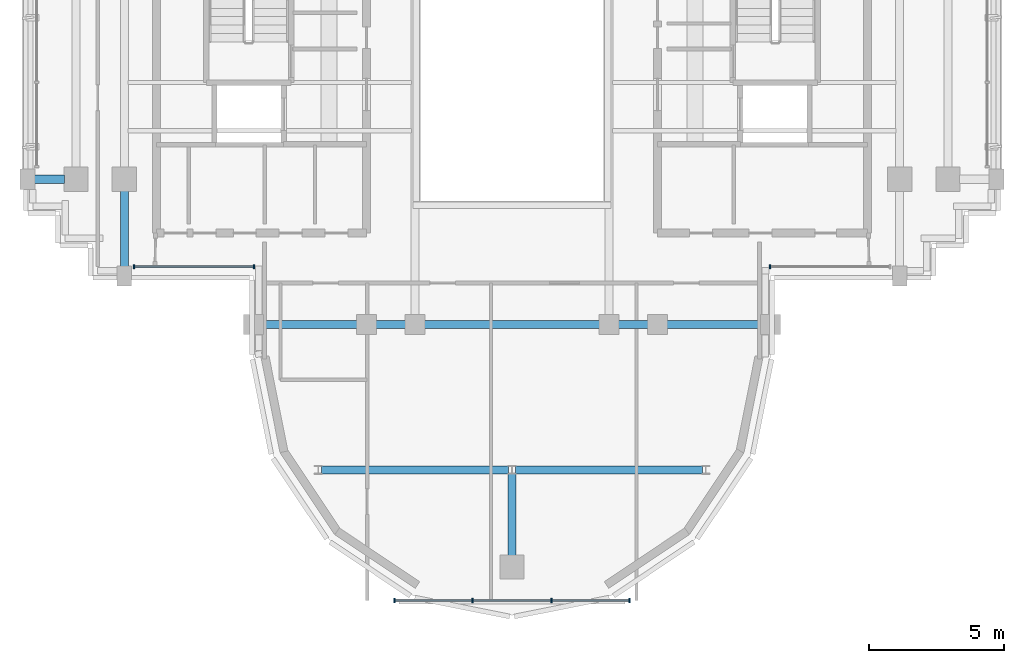
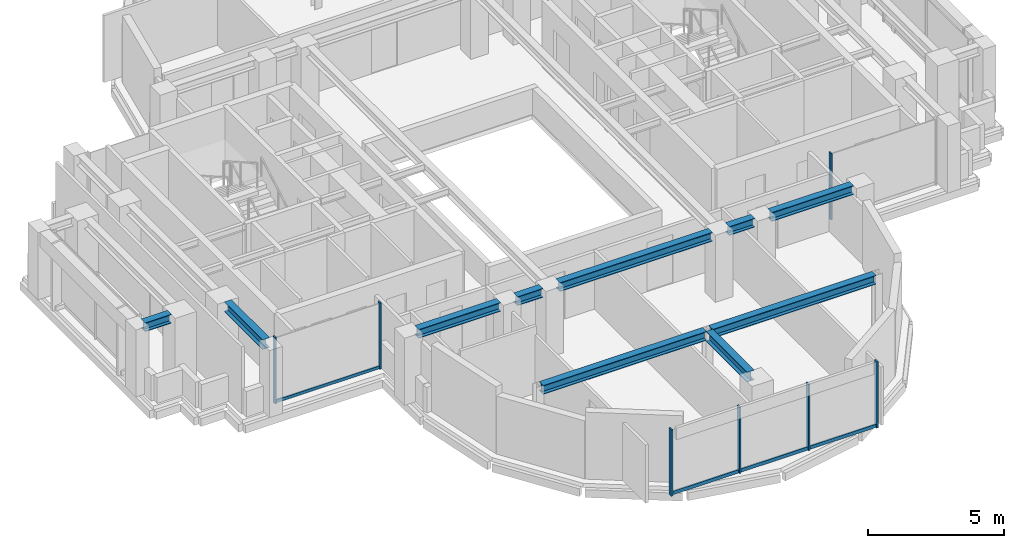
# One storey, part 3 of 12: 11 members, 10 beams, 3 elements without a shape of their own.
"""IFC4 building model written with IfcOpenShell, lengths in metres."""

from ifc_helpers import new_model, si_unit, direction, frame, origin, origin_2d, place, context, subcontext, project, spatial, rectangle, i_section, extrude, source, transform, mapped, material, material_profile, profile_set, type_object, element, aggregate, save


model = new_model("IFC4")

# Units and contexts
model_context = context("Model", 3, precision=1e-05, world=origin(), true_north=direction((0.0, 1.0)))
body_context = subcontext(model_context, "Body", "Model", "MODEL_VIEW")
ifc_project = project(units=[si_unit("LENGTHUNIT", "METRE"), si_unit("AREAUNIT", "SQUARE_METRE"), si_unit("VOLUMEUNIT", "CUBIC_METRE"), si_unit("PLANEANGLEUNIT", "RADIAN"), si_unit("MASSUNIT", "GRAM", prefix="KILO")], contexts=[model_context])

# Site, building, storey
site_placement = place(None, origin())
site = spatial("IfcSite", under=ifc_project, at=site_placement, CompositionType="ELEMENT")
building_placement = place(site_placement, origin())
building = spatial("IfcBuilding", under=site, at=building_placement, Name="Keilestroom Media Tower", CompositionType="ELEMENT")
storey_placement = place(building_placement, frame((0.0, 0.0, 226.800048828125)))
storey = spatial("IfcBuildingStorey", under=building, at=storey_placement, Name="L62", CompositionType="ELEMENT", Elevation=226.800048828125)

# Beams
ifc_material_1 = material(Name="Steel S355", Category="steel")
ifc_material_profile_1 = material_profile(ifc_material_1, i_section(OverallWidth=0.300048828125, OverallDepth=0.39990234375, WebThickness=0.011474609375, FlangeThickness=0.02392578125, at=origin_2d()), Name="HEB 400")
ifc_profile_set_1 = profile_set([ifc_material_profile_1], Name="Steel S355")
beam_type_1 = type_object("IfcBeamType", Name="Primary-Structural-Girder-HEB-400", PredefinedType="BEAM", material=ifc_profile_set_1)
shared_shape_1 = source(origin(), body_context, "Body", "SweptSolid", [
    extrude(i_section(OverallWidth=0.300048828125, OverallDepth=0.39990234375, WebThickness=0.011474609375, FlangeThickness=0.02392578125, at=origin_2d()), origin(), (0.0, 0.0, 1.0), 6.940185546875),
])
for number, where, z_axis, x_axis, name in (
    (1, (-7.070068359375, -14.39990234375, 2.81005859375), (1.0, 0.0, 0.0), (0.0, 1.0, 0.0), "L62 Beam BG-8 BM-L62-EW-001"),
    (2, (0.1298828125, -14.39990234375, 2.81005859375), (1.0, 0.0, 0.0), (0.0, 1.0, 0.0), "L62 Beam BG-8 BM-L62-EW-002"),
):
    element("IfcBeam", number, at=place(storey_placement, frame(where, z_axis=z_axis, x_axis=x_axis)), inside=storey, type_object=beam_type_1, Name=name, PredefinedType="BEAM", context=body_context, shape_type="MappedRepresentation", body=[
        mapped(shared_shape_1, transform((0.0, 0.0, 0.0), x_axis=(1.0, 0.0, 0.0), y_axis=(0.0, 1.0, 0.0), z_axis=(0.0, 0.0, 1.0), scale=1.0)),
    ])
shared_shape_2 = source(origin(), body_context, "Body", "SweptSolid", [
    extrude(i_section(OverallWidth=0.300048828125, OverallDepth=0.39990234375, WebThickness=0.011474609375, FlangeThickness=0.02392578125, at=origin_2d()), origin(), (0.0, 0.0, 1.0), 3.490234375),
])
for number, where, z_axis, x_axis, name in (
    (3, (-9.2451171875, -9.0, 2.81005859375), (1.0, 0.0, 0.0), (0.0, 1.0, 0.0), "L62 Beam BG-8 BM-L62-EW-003"),
    (4, (5.7548828125, -9.0, 2.81005859375), (1.0, 0.0, 0.0), (0.0, 1.0, 0.0), "L62 Beam BG-8 BM-L62-EW-007"),
):
    element("IfcBeam", number, at=place(storey_placement, frame(where, z_axis=z_axis, x_axis=x_axis)), inside=storey, type_object=beam_type_1, Name=name, PredefinedType="BEAM", context=body_context, shape_type="MappedRepresentation", body=[
        mapped(shared_shape_2, transform((0.0, 0.0, 0.0), x_axis=(1.0, 0.0, 0.0), y_axis=(0.0, 1.0, 0.0), z_axis=(0.0, 0.0, 1.0), scale=1.0)),
    ])
shared_shape_3 = source(origin(), body_context, "Body", "SweptSolid", [
    extrude(i_section(OverallWidth=0.300048828125, OverallDepth=0.39990234375, WebThickness=0.011474609375, FlangeThickness=0.02392578125, at=origin_2d()), origin(), (0.0, 0.0, 1.0), 1.08984375),
])
for number, where, z_axis, x_axis, name in (
    (5, (-5.044921875, -9.0, 2.81005859375), (1.0, 0.0, 0.0), (0.0, 1.0, 0.0), "L62 Beam BG-8 BM-L62-EW-004"),
    (6, (3.955078125, -9.0, 2.81005859375), (1.0, 0.0, 0.0), (0.0, 1.0, 0.0), "L62 Beam BG-8 BM-L62-EW-006"),
):
    element("IfcBeam", number, at=place(storey_placement, frame(where, z_axis=z_axis, x_axis=x_axis)), inside=storey, type_object=beam_type_1, Name=name, PredefinedType="BEAM", context=body_context, shape_type="MappedRepresentation", body=[
        mapped(shared_shape_3, transform((0.0, 0.0, 0.0), x_axis=(1.0, 0.0, 0.0), y_axis=(0.0, 1.0, 0.0), z_axis=(0.0, 0.0, 1.0), scale=1.0)),
    ])
shared_shape_4 = source(origin(), body_context, "Body", "SweptSolid", [
    extrude(i_section(OverallWidth=0.300048828125, OverallDepth=0.39990234375, WebThickness=0.011474609375, FlangeThickness=0.02392578125, at=origin_2d()), origin(), (0.0, 0.0, 1.0), 6.490234375),
])
beam_1_placement = place(storey_placement, frame((-3.2451171875, -9.0, 2.81005859375), z_axis=(1.0, 0.0, 0.0), x_axis=(0.0, 1.0, 0.0)))
element("IfcBeam", 7, at=beam_1_placement, inside=storey, type_object=beam_type_1, Name="L62 Beam BG-8 BM-L62-EW-005", PredefinedType="BEAM", context=body_context, shape_type="MappedRepresentation", body=[
    mapped(shared_shape_4, transform((0.0, 0.0, 0.0), x_axis=(1.0, 0.0, 0.0), y_axis=(0.0, 1.0, 0.0), z_axis=(0.0, 0.0, 1.0), scale=1.0)),
])
shared_shape_5 = source(origin(), body_context, "Body", "SweptSolid", [
    extrude(i_section(OverallWidth=0.300048828125, OverallDepth=0.39990234375, WebThickness=0.011474609375, FlangeThickness=0.02392578125, at=origin_2d()), origin(), (0.0, 0.0, 1.0), 1.115234375),
])
beam_2_placement = place(storey_placement, frame((-17.7451171875, -3.60009765625, 2.81005859375), z_axis=(1.0, 0.0, 0.0), x_axis=(0.0, 1.0, 0.0)))
element("IfcBeam", 8, at=beam_2_placement, inside=storey, type_object=beam_type_1, Name="L62 Beam BG-8 BM-L62-EW-008", PredefinedType="BEAM", context=body_context, shape_type="MappedRepresentation", body=[
    mapped(shared_shape_5, transform((0.0, 0.0, 0.0), x_axis=(1.0, 0.0, 0.0), y_axis=(0.0, 1.0, 0.0), z_axis=(0.0, 0.0, 1.0), scale=1.0)),
])
ifc_material_profile_2 = material_profile(ifc_material_1, i_section(OverallWidth=0.300048828125, OverallDepth=0.43994140625, WebThickness=0.011474609375, FlangeThickness=0.02099609375, at=origin_2d()), Name="HEA 450")
ifc_profile_set_2 = profile_set([ifc_material_profile_2], Name="Steel S355")
beam_type_2 = type_object("IfcBeamType", Name="Primary-Structural-Girder-HEA-450", PredefinedType="BEAM", material=ifc_profile_set_2)
shared_shape_6 = source(origin(), body_context, "Body", "SweptSolid", [
    extrude(i_section(OverallWidth=0.300048828125, OverallDepth=0.43994140625, WebThickness=0.011474609375, FlangeThickness=0.02099609375, at=origin_2d()), origin(), (0.0, 0.0, 1.0), 2.81494140625),
])
beam_3_placement = place(storey_placement, frame((-14.39990234375, -6.844970703125, 2.7900390625), z_axis=(0.0, 1.0, 0.0), x_axis=(-1.0, 0.0, 0.0)))
element("IfcBeam", 9, at=beam_3_placement, inside=storey, type_object=beam_type_2, Name="L62 Beam BG-11 BM-L62-NS-027", PredefinedType="BEAM", context=body_context, shape_type="MappedRepresentation", body=[
    mapped(shared_shape_6, transform((0.0, 0.0, 0.0), x_axis=(1.0, 0.0, 0.0), y_axis=(0.0, 1.0, 0.0), z_axis=(0.0, 0.0, 1.0), scale=1.0)),
])
shared_shape_7 = source(origin(), body_context, "Body", "SweptSolid", [
    extrude(i_section(OverallWidth=0.300048828125, OverallDepth=0.43994140625, WebThickness=0.011474609375, FlangeThickness=0.02099609375, at=origin_2d()), origin(), (0.0, 0.0, 1.0), 3.0400390625),
])
beam_4_placement = place(storey_placement, frame((0.0, -17.570068359375, 2.7900390625), z_axis=(0.0, 1.0, 0.0), x_axis=(-1.0, 0.0, 0.0)))
element("IfcBeam", 10, at=beam_4_placement, inside=storey, type_object=beam_type_2, Name="L62 Beam BG-11 BM-L62-NS-034", PredefinedType="BEAM", context=body_context, shape_type="MappedRepresentation", body=[
    mapped(shared_shape_7, transform((0.0, 0.0, 0.0), x_axis=(1.0, 0.0, 0.0), y_axis=(0.0, 1.0, 0.0), z_axis=(0.0, 0.0, 1.0), scale=1.0)),
])

# Curtain wall, members
ifc_material_2 = material(Name="Anodised Aluminium Alloy", Category="aluminium")
curtain_wall_type_1 = type_object("IfcCurtainWallType", Name="Unitised-Curtain-Wall-CW-6", PredefinedType="NOTDEFINED", material=ifc_material_2)
curtain_wall_1_placement = place(storey_placement, origin())
curtain_wall_1 = element("IfcCurtainWall", 11, at=curtain_wall_1_placement, inside=storey, type_object=curtain_wall_type_1, Name="L62 Curtain Wall CW-6 CW-L62-LS-1", PredefinedType="NOTDEFINED")
ifc_material_profile_3 = material_profile(ifc_material_2, rectangle(XDim=0.06494140625, YDim=0.179931640625, at=origin_2d()), Name="ALU MULLION 65x180")
ifc_profile_set_3 = profile_set([ifc_material_profile_3], Name="Anodised Aluminium Alloy")
member_type_1 = type_object("IfcMemberType", Name="Curtain-Wall-Mullion-CW-6", PredefinedType="MULLION", material=ifc_profile_set_3)
shared_shape_8 = source(origin(), body_context, "Body", "SweptSolid", [
    extrude(rectangle(XDim=0.06494140625, YDim=0.179931640625, at=origin_2d()), origin(), (0.0, 0.0, 1.0), 2.97998046875),
])
member_1_placement = place(storey_placement, frame((-4.367431640625, -19.25, 0.0), z_axis=(0.0, 0.0, 1.0), x_axis=(1.0, 0.0, 0.0)))
member_1 = element("IfcMember", 12, at=member_1_placement, type_object=member_type_1, Name="CW-6 Mullion 00", PredefinedType="MULLION", context=body_context, shape_type="MappedRepresentation", body=[
    mapped(shared_shape_8, transform((0.0, 0.0, 0.0), x_axis=(1.0, 0.0, 0.0), y_axis=(0.0, 1.0, 0.0), z_axis=(0.0, 0.0, 1.0), scale=1.0)),
])
member_2_placement = place(storey_placement, frame((-1.466796875, -19.25, 0.0), z_axis=(0.0, 0.0, 1.0), x_axis=(1.0, 0.0, 0.0)))
member_2 = element("IfcMember", 13, at=member_2_placement, type_object=member_type_1, Name="CW-6 Mullion 01", PredefinedType="MULLION", context=body_context, shape_type="MappedRepresentation", body=[
    mapped(shared_shape_8, transform((0.0, 0.0, 0.0), x_axis=(1.0, 0.0, 0.0), y_axis=(0.0, 1.0, 0.0), z_axis=(0.0, 0.0, 1.0), scale=1.0)),
])
member_3_placement = place(storey_placement, frame((1.466796875, -19.25, 0.0), z_axis=(0.0, 0.0, 1.0), x_axis=(1.0, 0.0, 0.0)))
member_3 = element("IfcMember", 14, at=member_3_placement, type_object=member_type_1, Name="CW-6 Mullion 02", PredefinedType="MULLION", context=body_context, shape_type="MappedRepresentation", body=[
    mapped(shared_shape_8, transform((0.0, 0.0, 0.0), x_axis=(1.0, 0.0, 0.0), y_axis=(0.0, 1.0, 0.0), z_axis=(0.0, 0.0, 1.0), scale=1.0)),
])
member_4_placement = place(storey_placement, frame((4.367431640625, -19.25, 0.0), z_axis=(0.0, 0.0, 1.0), x_axis=(1.0, 0.0, 0.0)))
member_4 = element("IfcMember", 15, at=member_4_placement, type_object=member_type_1, Name="CW-6 Mullion 03", PredefinedType="MULLION", context=body_context, shape_type="MappedRepresentation", body=[
    mapped(shared_shape_8, transform((0.0, 0.0, 0.0), x_axis=(1.0, 0.0, 0.0), y_axis=(0.0, 1.0, 0.0), z_axis=(0.0, 0.0, 1.0), scale=1.0)),
])
ifc_material_profile_4 = material_profile(ifc_material_2, rectangle(XDim=0.06494140625, YDim=0.14990234375, at=origin_2d()), Name="ALU TRANSOM 65x150")
ifc_profile_set_4 = profile_set([ifc_material_profile_4], Name="Anodised Aluminium Alloy")
member_type_2 = type_object("IfcMemberType", Name="Curtain-Wall-Transom-CW-6", PredefinedType="USERDEFINED", material=ifc_profile_set_4)
shared_shape_9 = source(origin(), body_context, "Body", "SweptSolid", [
    extrude(rectangle(XDim=0.06494140625, YDim=0.14990234375, at=origin_2d()), origin(), (0.0, 0.0, 1.0), 2.839599609375),
])
member_5_placement = place(storey_placement, frame((-4.3369140625, -19.25, 0.074951171875), z_axis=(1.0, 0.0, 0.0), x_axis=(0.0, 1.0, 0.0)))
member_5 = element("IfcMember", 16, at=member_5_placement, type_object=member_type_2, Name="CW-6 Transom 00.1", ObjectType="TRANSOM", PredefinedType="USERDEFINED", context=body_context, shape_type="MappedRepresentation", body=[
    mapped(shared_shape_9, transform((0.0, 0.0, 0.0), x_axis=(1.0, 0.0, 0.0), y_axis=(0.0, 1.0, 0.0), z_axis=(0.0, 0.0, 1.0), scale=1.0)),
])
member_6_placement = place(storey_placement, frame((1.497314453125, -19.25, 0.074951171875), z_axis=(1.0, 0.0, 0.0), x_axis=(0.0, 1.0, 0.0)))
member_6 = element("IfcMember", 17, at=member_6_placement, type_object=member_type_2, Name="CW-6 Transom 02.1", ObjectType="TRANSOM", PredefinedType="USERDEFINED", context=body_context, shape_type="MappedRepresentation", body=[
    mapped(shared_shape_9, transform((0.0, 0.0, 0.0), x_axis=(1.0, 0.0, 0.0), y_axis=(0.0, 1.0, 0.0), z_axis=(0.0, 0.0, 1.0), scale=1.0)),
])
shared_shape_10 = source(origin(), body_context, "Body", "SweptSolid", [
    extrude(rectangle(XDim=0.06494140625, YDim=0.14990234375, at=origin_2d()), origin(), (0.0, 0.0, 1.0), 2.87255859375),
])
member_7_placement = place(storey_placement, frame((-1.436279296875, -19.25, 0.074951171875), z_axis=(1.0, 0.0, 0.0), x_axis=(0.0, 1.0, 0.0)))
member_7 = element("IfcMember", 18, at=member_7_placement, type_object=member_type_2, Name="CW-6 Transom 01.1", ObjectType="TRANSOM", PredefinedType="USERDEFINED", context=body_context, shape_type="MappedRepresentation", body=[
    mapped(shared_shape_10, transform((0.0, 0.0, 0.0), x_axis=(1.0, 0.0, 0.0), y_axis=(0.0, 1.0, 0.0), z_axis=(0.0, 0.0, 1.0), scale=1.0)),
])
aggregate(curtain_wall_1, [member_1, member_2, member_3, member_4, member_5, member_7, member_6])

curtain_wall_type_2 = type_object("IfcCurtainWallType", Name="Unitised-Curtain-Wall-CW-4", PredefinedType="NOTDEFINED", material=ifc_material_2)
curtain_wall_2_placement = place(storey_placement, origin())
curtain_wall_2 = element("IfcCurtainWall", 19, at=curtain_wall_2_placement, inside=storey, type_object=curtain_wall_type_2, Name="L62 Curtain Wall CW-4 CW-L62-SW-1", PredefinedType="NOTDEFINED")
ifc_material_profile_5 = material_profile(ifc_material_2, rectangle(XDim=0.06005859375, YDim=0.159912109375, at=origin_2d()), Name="ALU MULLION 60x160")
ifc_profile_set_5 = profile_set([ifc_material_profile_5], Name="Anodised Aluminium Alloy")
member_type_3 = type_object("IfcMemberType", Name="Curtain-Wall-Mullion-CW-4", PredefinedType="MULLION", material=ifc_profile_set_5)
shared_shape_11 = source(origin(), body_context, "Body", "SweptSolid", [
    extrude(rectangle(XDim=0.06005859375, YDim=0.159912109375, at=origin_2d()), origin(), (0.0, 0.0, 1.0), 2.97998046875),
])
member_8_placement = place(storey_placement, frame((-14.034912109375, -6.85009765625, 0.0), z_axis=(0.0, 0.0, 1.0), x_axis=(1.0, 0.0, 0.0)))
member_8 = element("IfcMember", 20, at=member_8_placement, type_object=member_type_3, Name="CW-4 Mullion 00", PredefinedType="MULLION", context=body_context, shape_type="MappedRepresentation", body=[
    mapped(shared_shape_11, transform((0.0, 0.0, 0.0), x_axis=(1.0, 0.0, 0.0), y_axis=(0.0, 1.0, 0.0), z_axis=(0.0, 0.0, 1.0), scale=1.0)),
])
member_9_placement = place(storey_placement, frame((-9.580078125, -6.85009765625, 0.0), z_axis=(0.0, 0.0, 1.0), x_axis=(1.0, 0.0, 0.0)))
member_9 = element("IfcMember", 21, at=member_9_placement, type_object=member_type_3, Name="CW-4 Mullion 01", PredefinedType="MULLION", context=body_context, shape_type="MappedRepresentation", body=[
    mapped(shared_shape_11, transform((0.0, 0.0, 0.0), x_axis=(1.0, 0.0, 0.0), y_axis=(0.0, 1.0, 0.0), z_axis=(0.0, 0.0, 1.0), scale=1.0)),
])

# Curtain wall, member
curtain_wall_3_placement = place(storey_placement, origin())
curtain_wall_3 = element("IfcCurtainWall", 22, at=curtain_wall_3_placement, inside=storey, type_object=curtain_wall_type_2, Name="L62 Curtain Wall CW-4 CW-L62-SE-1", PredefinedType="NOTDEFINED")
member_10_placement = place(storey_placement, frame((9.580078125, -6.85009765625, 0.0), z_axis=(0.0, 0.0, 1.0), x_axis=(1.0, 0.0, 0.0)))
member_10 = element("IfcMember", 23, at=member_10_placement, type_object=member_type_3, Name="CW-4 Mullion 00", PredefinedType="MULLION", context=body_context, shape_type="MappedRepresentation", body=[
    mapped(shared_shape_11, transform((0.0, 0.0, 0.0), x_axis=(1.0, 0.0, 0.0), y_axis=(0.0, 1.0, 0.0), z_axis=(0.0, 0.0, 1.0), scale=1.0)),
])
aggregate(curtain_wall_3, [member_10])

# Member
ifc_material_profile_6 = material_profile(ifc_material_2, rectangle(XDim=0.06005859375, YDim=0.1298828125, at=origin_2d()), Name="ALU TRANSOM 60x130")
ifc_profile_set_6 = profile_set([ifc_material_profile_6], Name="Anodised Aluminium Alloy")
member_type_4 = type_object("IfcMemberType", Name="Curtain-Wall-Transom-CW-4", PredefinedType="USERDEFINED", material=ifc_profile_set_6)
shared_shape_12 = source(origin(), body_context, "Body", "SweptSolid", [
    extrude(rectangle(XDim=0.06005859375, YDim=0.1298828125, at=origin_2d()), origin(), (0.0, 0.0, 1.0), 4.399169921875),
])
member_11_placement = place(storey_placement, frame((-14.007080078125, -6.85009765625, 0.06494140625), z_axis=(1.0, 0.0, 0.0), x_axis=(0.0, 1.0, 0.0)))
member_11 = element("IfcMember", 24, at=member_11_placement, type_object=member_type_4, Name="CW-4 Transom 00.1", ObjectType="TRANSOM", PredefinedType="USERDEFINED", context=body_context, shape_type="MappedRepresentation", body=[
    mapped(shared_shape_12, transform((0.0, 0.0, 0.0), x_axis=(1.0, 0.0, 0.0), y_axis=(0.0, 1.0, 0.0), z_axis=(0.0, 0.0, 1.0), scale=1.0)),
])

aggregate(curtain_wall_2, [member_8, member_9, member_11])

save(model, "model.ifc")
